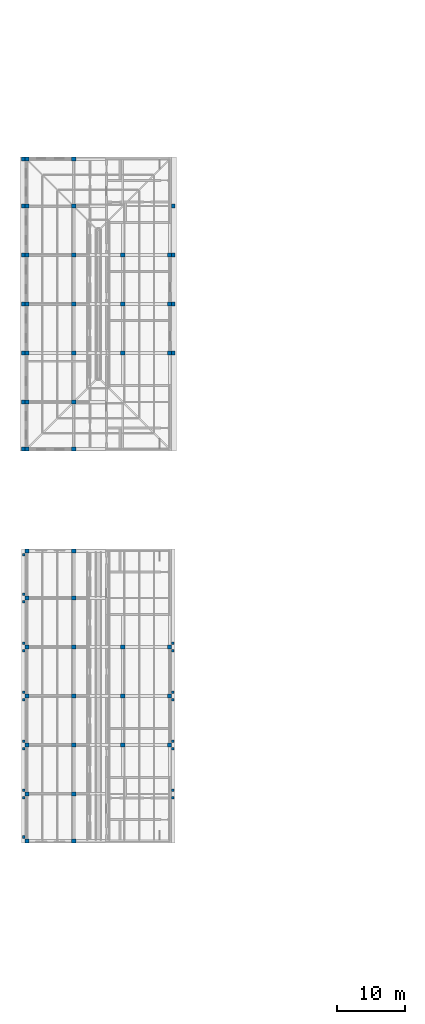
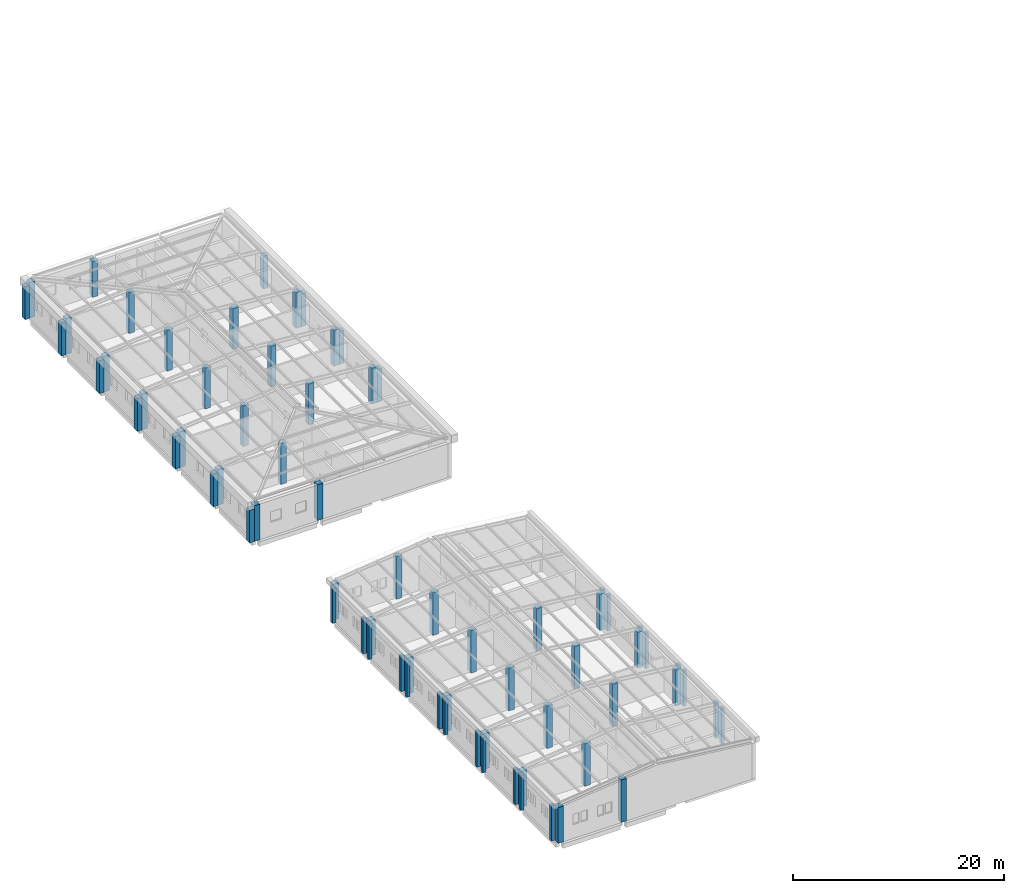
# One storey, part 1 of 48: 71 columns.
"""IFC4 building model written with IfcOpenShell, lengths in metres."""

import ifcopenshell
import ifcopenshell.guid

model = None  # the IFC model being written
_history = None  # IfcOwnerHistory: only IFC2X3 demands one
_inside = {}  # id of a spatial element -> (the spatial element, [elements in it])
_under = {}  # id of a project, library or spatial element -> (it, [spatial elements below it])
_declared = {}  # id of a project -> (the project, [libraries it declares])
_typed = {}  # id of a type object -> (the type object, [elements of that type])
_made_of = {}  # id of a material, layer set ... -> (it, [elements and type objects made of it])


def new_model(schema):
    """Start an empty IFC model of exactly this schema.

    Asked for "IFC4X3", IfcOpenShell would pick the latest addendum, in which some entities
    have other attributes; the version numbers below select the first issue.
    IFC2X3 requires an IfcOwnerHistory on every rooted entity: one is made here for all.
    """
    global model, _history
    if schema == "IFC4X3":
        model = ifcopenshell.file(schema_version=(4, 3, 0, 0))
    else:
        model = ifcopenshell.file(schema=schema)
    _inside.clear()
    _under.clear()
    _declared.clear()
    _typed.clear()
    _made_of.clear()
    _history = None
    if model.schema == "IFC2X3":
        org = make("IfcOrganization", Name="unknown")
        user = make(
            "IfcPersonAndOrganization",
            ThePerson=make("IfcPerson", FamilyName="unknown"),
            TheOrganization=org,
        )
        app = make(
            "IfcApplication",
            ApplicationDeveloper=org,
            Version="unknown",
            ApplicationFullName="unknown",
            ApplicationIdentifier="unknown",
        )
        _history = make(
            "IfcOwnerHistory",
            OwningUser=user,
            OwningApplication=app,
            ChangeAction="ADDED",
            CreationDate=0,
        )
    return model


def make(cls, **values):
    """One entity of the class cls with the attributes given. An attribute that is None is left unset."""
    return model.create_entity(
        cls, **{name: value for name, value in values.items() if value is not None}
    )


def rooted(cls, **values):
    """An entity with a GlobalId (a new one), such as an element, a storey or a relation."""
    return make(cls, GlobalId=ifcopenshell.guid.new(), OwnerHistory=_history, **values)


def si_unit(unit_type, name, prefix=None):
    """IfcSIUnit, for example si_unit("LENGTHUNIT", "METRE", prefix="MILLI")."""
    return make("IfcSIUnit", UnitType=unit_type, Prefix=prefix, Name=name)


def assignment(units):
    """IfcUnitAssignment: the units of a project."""
    return None if units is None else make("IfcUnitAssignment", Units=units)


def point(xyz):
    """IfcCartesianPoint."""
    return None if xyz is None else make("IfcCartesianPoint", Coordinates=xyz)


def direction(xyz):
    """IfcDirection."""
    return None if xyz is None else make("IfcDirection", DirectionRatios=xyz)


def frame(location, z_axis=None, x_axis=None):
    """IfcAxis2Placement3D, a coordinate frame: its origin and axes. An axis left out is left unset."""
    return make(
        "IfcAxis2Placement3D",
        Location=point(location),
        Axis=direction(z_axis),
        RefDirection=direction(x_axis),
    )


def frame_2d(location, x_axis=None):
    """IfcAxis2Placement2D, a coordinate frame in the plane: its origin and x axis."""
    return make(
        "IfcAxis2Placement2D", Location=point(location), RefDirection=direction(x_axis)
    )


def origin():
    """The frame at (0, 0, 0) with its axes left unset."""
    return frame((0.0, 0.0, 0.0))


def origin_2d():
    """The frame at (0, 0) in the plane with its x axis left unset."""
    return frame_2d((0.0, 0.0))


def place(relative_to, where):
    """IfcLocalPlacement: puts the frame where relative to a parent placement (None: the world)."""
    return make(
        "IfcLocalPlacement", PlacementRelTo=relative_to, RelativePlacement=where
    )


def context(
    kind, dimensions, precision=None, world=None, true_north=None, identifier=None
):
    """IfcGeometricRepresentationContext, for example the 3D "Model" context."""
    return make(
        "IfcGeometricRepresentationContext",
        ContextIdentifier=identifier,
        ContextType=kind,
        CoordinateSpaceDimension=dimensions,
        Precision=precision,
        WorldCoordinateSystem=world,
        TrueNorth=true_north,
    )


def subcontext(parent, identifier, kind, view, scale=None):
    """IfcGeometricRepresentationSubContext, for example "Body" below "Model"."""
    return make(
        "IfcGeometricRepresentationSubContext",
        ContextIdentifier=identifier,
        ContextType=kind,
        ParentContext=parent,
        TargetScale=scale,
        TargetView=view,
    )


def project(units=None, contexts=None):
    """IfcProject with its units and contexts."""
    return rooted(
        "IfcProject",
        Name="project",
        RepresentationContexts=contexts,
        UnitsInContext=assignment(units),
    )


def spatial(cls, under=None, at=None, **own):
    """A site, building, storey or space (cls), placed at a placement, below another one or the project."""
    s = rooted(cls, ObjectPlacement=at, **own)
    if under is not None:
        _under.setdefault(under.id(), (under, []))[1].append(s)
    return s


def profile(cls, at=None, kind="AREA", **sizes):
    """A parametric profile (cls). Its sizes go by their IFC names, for example OverallWidth=200.0."""
    return make(cls, ProfileType=kind, Position=at, **sizes)


def rectangle(**sizes):
    """IfcRectangleProfileDef."""
    return profile("IfcRectangleProfileDef", **sizes)


def extrude(swept, where, along, depth):
    """IfcExtrudedAreaSolid: the profile swept, set in the frame where, extruded along a direction by depth."""
    return make(
        "IfcExtrudedAreaSolid",
        SweptArea=swept,
        Position=where,
        ExtrudedDirection=direction(along),
        Depth=depth,
    )


def shape(context_of_items, identifier, shape_type, items):
    """IfcShapeRepresentation: the items that make up one representation, for example the "Body"."""
    return make(
        "IfcShapeRepresentation",
        ContextOfItems=context_of_items,
        RepresentationIdentifier=identifier,
        RepresentationType=shape_type,
        Items=items,
    )


def material(Name=None, Category=None):
    """IfcMaterial."""
    return make("IfcMaterial", Name=Name, Category=Category)


def material_profile(
    of_material, cross_section, Name=None, Category=None, Priority=None
):
    """IfcMaterialProfile: a cross section and its material."""
    return make(
        "IfcMaterialProfile",
        Name=Name,
        Material=of_material,
        Profile=cross_section,
        Priority=Priority,
        Category=Category,
    )


def profile_set(profiles, Name=None, composite=None):
    """IfcMaterialProfileSet."""
    return make(
        "IfcMaterialProfileSet",
        Name=Name,
        MaterialProfiles=profiles,
        CompositeProfile=composite,
    )


def made_of(thing, what):
    """Note that an element or type object is made of a material, layer set ...; save() writes the relation."""
    if what is not None:
        _made_of.setdefault(what.id(), (what, []))[1].append(thing)
    return thing


def type_object(cls, material=None, **own):
    """A type object (cls), such as IfcWallType, which elements share."""
    return made_of(rooted(cls, **own), material)


def element(
    cls,
    number,
    at=None,
    inside=None,
    cuts=None,
    type_object=None,
    material=None,
    context=None,
    identifier="Body",
    shape_type=None,
    held_by="IfcProductDefinitionShape",
    body=None,
    shapes=None,
    **own,
):
    """One element of the class cls, such as IfcWall. Its Tag is "e" and its number.

    at: its placement. inside: the storey or other place that contains it. cuts: it is an
    opening in that element (IfcRelVoidsElement). A single representation is given by context,
    identifier, shape_type and body (its items); several are given by shapes. held_by: the class
    of the entity that holds the representations. save() writes the other relations.
    """
    e = rooted(cls, Tag="e%d" % number, ObjectPlacement=at, **own)
    if body is not None:
        shapes = [shape(context, identifier, shape_type, body)]
    if shapes is not None:
        e.Representation = make(held_by, Representations=shapes)
    if inside is not None:
        _inside.setdefault(inside.id(), (inside, []))[1].append(e)
    if cuts is not None:
        rooted(
            "IfcRelVoidsElement", RelatingBuildingElement=cuts, RelatedOpeningElement=e
        )
    if type_object is not None:
        _typed.setdefault(type_object.id(), (type_object, []))[1].append(e)
    return made_of(e, material)


def aggregate(whole, parts):
    """IfcRelAggregates: a whole, such as a stair, and the parts it consists of."""
    return rooted("IfcRelAggregates", RelatingObject=whole, RelatedObjects=parts)


def save(model, path):
    """Write the relations noted so far, then the file.

    IfcRelAggregates (storeys below a building ...), IfcRelContainedInSpatialStructure (elements
    in a storey), IfcRelDefinesByType, IfcRelAssociatesMaterial and IfcRelDeclares: one each for
    every whole, place, type object, material and project.
    """
    for whole, parts in _under.values():
        aggregate(whole, parts)
    for where, things in _inside.values():
        rooted(
            "IfcRelContainedInSpatialStructure",
            RelatedElements=things,
            RelatingStructure=where,
        )
    for kind, things in _typed.values():
        rooted("IfcRelDefinesByType", RelatedObjects=things, RelatingType=kind)
    for what, things in _made_of.values():
        rooted("IfcRelAssociatesMaterial", RelatedObjects=things, RelatingMaterial=what)
    for by, libraries in _declared.values():
        rooted("IfcRelDeclares", RelatingContext=by, RelatedDefinitions=libraries)
    model.write(path)


model = new_model("IFC4")

# Units and contexts
model_context = context("Model", 3, precision=1e-05, world=origin(), true_north=direction((0.0, 1.0)))
body_context = subcontext(model_context, "Body", "Model", "MODEL_VIEW")
ifc_project = project(units=[si_unit("LENGTHUNIT", "METRE"), si_unit("AREAUNIT", "SQUARE_METRE"), si_unit("VOLUMEUNIT", "CUBIC_METRE"), si_unit("PLANEANGLEUNIT", "RADIAN"), si_unit("MASSUNIT", "GRAM", prefix="KILO")], contexts=[model_context])

# Site, building, storey
site_placement = place(None, origin())
site = spatial("IfcSite", under=ifc_project, at=site_placement, CompositionType="ELEMENT")
building_placement = place(site_placement, origin())
building = spatial("IfcBuilding", under=site, at=building_placement, Name="Alderwick Market Hall", CompositionType="ELEMENT")
storey_placement = place(building_placement, frame((0.0, 0.0, 14.39990234375)))
storey = spatial("IfcBuildingStorey", under=building, at=storey_placement, Name="L02", CompositionType="ELEMENT", Elevation=14.39990234375)

# Columns
ifc_material_1 = material(Name="Concrete 5000 psi (f'c 35 MPa)", Category="concrete")
ifc_material_profile_1 = material_profile(ifc_material_1, rectangle(XDim=0.35009765625, YDim=0.39990234375, at=origin_2d()), Name="B Paired Pilaster 350x400")
ifc_profile_set_1 = profile_set([ifc_material_profile_1], Name="Concrete 5000 psi (f'c 35 MPa)")
column_type_1 = type_object("IfcColumnType", Name="B Paired Pilaster 350x400", PredefinedType="COLUMN", material=ifc_profile_set_1)
for number, where, z_axis, x_axis, name in (
    (1, (21.425048828125, 29.64990234375, 0.0), (0.0, 0.0, 1.0), (1.0, 0.0, 0.0), "Pilaster W01"),
    (2, (21.425048828125, 35.449951171875, 0.0), (0.0, 0.0, 1.0), (1.0, 0.0, 0.0), "Pilaster W02"),
    (3, (21.425048828125, 36.550048828125, 0.0), (0.0, 0.0, 1.0), (1.0, 0.0, 0.0), "Pilaster W03"),
    (4, (21.425048828125, 42.64990234375, 0.0), (0.0, 0.0, 1.0), (1.0, 0.0, 0.0), "Pilaster W04"),
    (5, (21.425048828125, 43.75, 0.0), (0.0, 0.0, 1.0), (1.0, 0.0, 0.0), "Pilaster W05"),
    (6, (21.425048828125, 49.85009765625, 0.0), (0.0, 0.0, 1.0), (1.0, 0.0, 0.0), "Pilaster W06"),
    (7, (21.425048828125, 50.949951171875, 0.0), (0.0, 0.0, 1.0), (1.0, 0.0, 0.0), "Pilaster W07"),
    (8, (21.425048828125, 57.050048828125, 0.0), (0.0, 0.0, 1.0), (1.0, 0.0, 0.0), "Pilaster W08"),
    (9, (21.425048828125, 58.14990234375, 0.0), (0.0, 0.0, 1.0), (1.0, 0.0, 0.0), "Pilaster W09"),
    (10, (21.425048828125, 64.25, 0.0), (0.0, 0.0, 1.0), (1.0, 0.0, 0.0), "Pilaster W10"),
    (11, (21.425048828125, 65.35009765625, 0.0), (0.0, 0.0, 1.0), (1.0, 0.0, 0.0), "Pilaster W11"),
    (12, (21.425048828125, 71.14990234375, 0.0), (0.0, 0.0, 1.0), (1.0, 0.0, 0.0), "Pilaster W12"),
    (13, (43.375, 35.449951171875, 0.0), (0.0, 0.0, 1.0), (1.0, 0.0, 0.0), "Pilaster E01"),
    (14, (43.375, 36.550048828125, 0.0), (0.0, 0.0, 1.0), (1.0, 0.0, 0.0), "Pilaster E02"),
    (15, (43.375, 42.64990234375, 0.0), (0.0, 0.0, 1.0), (1.0, 0.0, 0.0), "Pilaster E03"),
    (16, (43.375, 43.75, 0.0), (0.0, 0.0, 1.0), (1.0, 0.0, 0.0), "Pilaster E04"),
    (17, (43.375, 49.85009765625, 0.0), (0.0, 0.0, 1.0), (1.0, 0.0, 0.0), "Pilaster E05"),
    (18, (43.375, 50.949951171875, 0.0), (0.0, 0.0, 1.0), (1.0, 0.0, 0.0), "Pilaster E06"),
    (19, (43.375, 57.050048828125, 0.0), (0.0, 0.0, 1.0), (1.0, 0.0, 0.0), "Pilaster E07"),
    (20, (43.375, 58.14990234375, 0.0), (0.0, 0.0, 1.0), (1.0, 0.0, 0.0), "Pilaster E08"),
):
    element("IfcColumn", number, at=place(storey_placement, frame(where, z_axis=z_axis, x_axis=x_axis)), inside=storey, type_object=column_type_1, Name=name, PredefinedType="COLUMN", context=body_context, shape_type="SweptSolid", body=[
        extrude(rectangle(XDim=0.35009765625, YDim=0.39990234375, at=origin_2d()), origin(), (0.0, 0.0, 1.0), 4.10009765625),
    ])
ifc_material_profile_2 = material_profile(ifc_material_1, rectangle(XDim=0.5, YDim=0.60009765625, at=origin_2d()), Name="B Pilaster 500x600")
ifc_profile_set_2 = profile_set([ifc_material_profile_2], Name="Concrete 5000 psi (f'c 35 MPa)")
column_type_2 = type_object("IfcColumnType", Name="B Pilaster 500x600", PredefinedType="COLUMN", material=ifc_profile_set_2)
for number, where, z_axis, x_axis, name in (
    (21, (21.35009765625, 86.699951171875, 0.0), (0.0, 0.0, 1.0), (1.0, 0.0, 0.0), "Pilaster W01"),
    (22, (21.35009765625, 93.60009765625, 0.0), (0.0, 0.0, 1.0), (1.0, 0.0, 0.0), "Pilaster W02"),
    (23, (21.35009765625, 100.800048828125, 0.0), (0.0, 0.0, 1.0), (1.0, 0.0, 0.0), "Pilaster W03"),
    (24, (21.35009765625, 108.0, 0.0), (0.0, 0.0, 1.0), (1.0, 0.0, 0.0), "Pilaster W04"),
    (25, (21.35009765625, 115.199951171875, 0.0), (0.0, 0.0, 1.0), (1.0, 0.0, 0.0), "Pilaster W05"),
    (26, (21.35009765625, 122.39990234375, 0.0), (0.0, 0.0, 1.0), (1.0, 0.0, 0.0), "Pilaster W06"),
    (27, (21.35009765625, 129.300048828125, 0.0), (0.0, 0.0, 1.0), (1.0, 0.0, 0.0), "Pilaster W07"),
    (28, (43.449951171875, 100.800048828125, 0.0), (0.0, 0.0, 1.0), (1.0, 0.0, 0.0), "Pilaster E01"),
    (29, (43.449951171875, 108.0, 0.0), (0.0, 0.0, 1.0), (1.0, 0.0, 0.0), "Pilaster E02"),
    (30, (43.449951171875, 115.199951171875, 0.0), (0.0, 0.0, 1.0), (1.0, 0.0, 0.0), "Pilaster E03"),
    (31, (43.449951171875, 122.39990234375, 0.0), (0.0, 0.0, 1.0), (1.0, 0.0, 0.0), "Pilaster E04"),
):
    element("IfcColumn", number, at=place(storey_placement, frame(where, z_axis=z_axis, x_axis=x_axis)), inside=storey, type_object=column_type_2, Name=name, PredefinedType="COLUMN", context=body_context, shape_type="SweptSolid", body=[
        extrude(rectangle(XDim=0.5, YDim=0.60009765625, at=origin_2d()), origin(), (0.0, 0.0, 1.0), 3.800048828125),
    ])
ifc_material_2 = material(Name="Precast concrete 6000 psi (f'c 42 MPa)", Category="concrete")
ifc_material_profile_3 = material_profile(ifc_material_2, rectangle(XDim=0.60009765625, YDim=0.60009765625, at=origin_2d()), Name="B Precast Pier 600x600")
ifc_profile_set_3 = profile_set([ifc_material_profile_3], Name="Precast concrete 6000 psi (f'c 42 MPa)")
column_type_3 = type_object("IfcColumnType", Name="B Precast Pier 600x600", PredefinedType="COLUMN", material=ifc_profile_set_3)
for number, where, z_axis, x_axis, name in (
    (32, (21.89990234375, 129.300048828125, 0.0), (0.0, 0.0, 1.0), (1.0, 0.0, 0.0), "B.N.col.L02.003-003"),
    (33, (21.89990234375, 122.39990234375, 0.0), (0.0, 0.0, 1.0), (1.0, 0.0, 0.0), "B.N.col.L02.003-072"),
    (34, (21.89990234375, 115.199951171875, 0.0), (0.0, 0.0, 1.0), (1.0, 0.0, 0.0), "B.N.col.L02.003-144"),
    (35, (21.89990234375, 108.0, 0.0), (0.0, 0.0, 1.0), (1.0, 0.0, 0.0), "B.N.col.L02.003-216"),
    (36, (21.89990234375, 100.800048828125, 0.0), (0.0, 0.0, 1.0), (1.0, 0.0, 0.0), "B.N.col.L02.003-288"),
    (37, (21.89990234375, 93.60009765625, 0.0), (0.0, 0.0, 1.0), (1.0, 0.0, 0.0), "B.N.col.L02.003-360"),
    (38, (21.89990234375, 86.699951171875, 0.0), (0.0, 0.0, 1.0), (1.0, 0.0, 0.0), "B.N.col.L02.003-429"),
    (39, (28.800048828125, 129.300048828125, 0.0), (0.0, 0.0, 1.0), (1.0, 0.0, 0.0), "B.N.col.L02.072-003"),
    (40, (28.800048828125, 86.699951171875, 0.0), (0.0, 0.0, 1.0), (1.0, 0.0, 0.0), "B.N.col.L02.072-429"),
    (41, (42.89990234375, 115.199951171875, 0.0), (0.0, 0.0, 1.0), (1.0, 0.0, 0.0), "B.N.col.L02.213-144"),
    (42, (42.89990234375, 108.0, 0.0), (0.0, 0.0, 1.0), (1.0, 0.0, 0.0), "B.N.col.L02.213-216"),
    (43, (42.89990234375, 100.800048828125, 0.0), (0.0, 0.0, 1.0), (1.0, 0.0, 0.0), "B.N.col.L02.213-288"),
):
    element("IfcColumn", number, at=place(storey_placement, frame(where, z_axis=z_axis, x_axis=x_axis)), inside=storey, type_object=column_type_3, Name=name, PredefinedType="COLUMN", context=body_context, shape_type="SweptSolid", body=[
        extrude(rectangle(XDim=0.60009765625, YDim=0.60009765625, at=origin_2d()), origin(), (0.0, 0.0, 1.0), 4.1376953125),
    ])
for number, where, z_axis, x_axis, name in (
    (44, (21.89990234375, 29.10009765625, 0.0), (0.0, 0.0, 1.0), (1.0, 0.0, 0.0), "B.S.col.L02.003-003"),
    (45, (21.89990234375, 36.0, 0.0), (0.0, 0.0, 1.0), (1.0, 0.0, 0.0), "B.S.col.L02.003-072"),
    (46, (21.89990234375, 43.199951171875, 0.0), (0.0, 0.0, 1.0), (1.0, 0.0, 0.0), "B.S.col.L02.003-144"),
    (47, (21.89990234375, 50.39990234375, 0.0), (0.0, 0.0, 1.0), (1.0, 0.0, 0.0), "B.S.col.L02.003-216"),
    (48, (21.89990234375, 57.60009765625, 0.0), (0.0, 0.0, 1.0), (1.0, 0.0, 0.0), "B.S.col.L02.003-288"),
    (49, (21.89990234375, 64.800048828125, 0.0), (0.0, 0.0, 1.0), (1.0, 0.0, 0.0), "B.S.col.L02.003-360"),
    (50, (21.89990234375, 71.699951171875, 0.0), (0.0, 0.0, 1.0), (1.0, 0.0, 0.0), "B.S.col.L02.003-429"),
):
    element("IfcColumn", number, at=place(storey_placement, frame(where, z_axis=z_axis, x_axis=x_axis)), inside=storey, type_object=column_type_3, Name=name, PredefinedType="COLUMN", context=body_context, shape_type="SweptSolid", body=[
        extrude(rectangle(XDim=0.60009765625, YDim=0.60009765625, at=origin_2d()), origin(), (0.0, 0.0, 1.0), 4.144287109375),
    ])
for number, where, z_axis, x_axis, name in (
    (51, (28.800048828125, 29.10009765625, 0.0), (0.0, 0.0, 1.0), (1.0, 0.0, 0.0), "B.S.col.L02.072-003"),
    (52, (28.800048828125, 71.699951171875, 0.0), (0.0, 0.0, 1.0), (1.0, 0.0, 0.0), "B.S.col.L02.072-429"),
):
    element("IfcColumn", number, at=place(storey_placement, frame(where, z_axis=z_axis, x_axis=x_axis)), inside=storey, type_object=column_type_3, Name=name, PredefinedType="COLUMN", context=body_context, shape_type="SweptSolid", body=[
        extrude(rectangle(XDim=0.60009765625, YDim=0.60009765625, at=origin_2d()), origin(), (0.0, 0.0, 1.0), 4.910888671875),
    ])
for number, where, z_axis, x_axis, name in (
    (53, (42.89990234375, 43.199951171875, 0.0), (0.0, 0.0, 1.0), (1.0, 0.0, 0.0), "B.S.col.L02.213-144"),
    (54, (42.89990234375, 50.39990234375, 0.0), (0.0, 0.0, 1.0), (1.0, 0.0, 0.0), "B.S.col.L02.213-216"),
    (55, (42.89990234375, 57.60009765625, 0.0), (0.0, 0.0, 1.0), (1.0, 0.0, 0.0), "B.S.col.L02.213-288"),
):
    element("IfcColumn", number, at=place(storey_placement, frame(where, z_axis=z_axis, x_axis=x_axis)), inside=storey, type_object=column_type_3, Name=name, PredefinedType="COLUMN", context=body_context, shape_type="SweptSolid", body=[
        extrude(rectangle(XDim=0.60009765625, YDim=0.60009765625, at=origin_2d()), origin(), (0.0, 0.0, 1.0), 4.144287109375),
    ])
ifc_material_profile_4 = material_profile(ifc_material_1, rectangle(XDim=0.60009765625, YDim=0.60009765625, at=origin_2d()), Name="B RC Column 600x600")
ifc_profile_set_4 = profile_set([ifc_material_profile_4], Name="Concrete 5000 psi (f'c 35 MPa)")
column_type_4 = type_object("IfcColumnType", Name="B RC Column 600x600", PredefinedType="COLUMN", material=ifc_profile_set_4)
for number, where, z_axis, x_axis, name in (
    (56, (28.800048828125, 122.39990234375, 0.0), (0.0, 0.0, 1.0), (1.0, 0.0, 0.0), "B.N.col.L02.072-072"),
    (57, (28.800048828125, 115.199951171875, 0.0), (0.0, 0.0, 1.0), (1.0, 0.0, 0.0), "B.N.col.L02.072-144"),
    (58, (28.800048828125, 108.0, 0.0), (0.0, 0.0, 1.0), (1.0, 0.0, 0.0), "B.N.col.L02.072-216"),
    (59, (28.800048828125, 100.800048828125, 0.0), (0.0, 0.0, 1.0), (1.0, 0.0, 0.0), "B.N.col.L02.072-288"),
    (60, (28.800048828125, 93.60009765625, 0.0), (0.0, 0.0, 1.0), (1.0, 0.0, 0.0), "B.N.col.L02.072-360"),
    (61, (36.0, 115.199951171875, 0.0), (0.0, 0.0, 1.0), (1.0, 0.0, 0.0), "B.N.col.L02.144-144"),
    (62, (36.0, 108.0, 0.0), (0.0, 0.0, 1.0), (1.0, 0.0, 0.0), "B.N.col.L02.144-216"),
    (63, (36.0, 100.800048828125, 0.0), (0.0, 0.0, 1.0), (1.0, 0.0, 0.0), "B.N.col.L02.144-288"),
):
    element("IfcColumn", number, at=place(storey_placement, frame(where, z_axis=z_axis, x_axis=x_axis)), inside=storey, type_object=column_type_4, Name=name, PredefinedType="COLUMN", context=body_context, shape_type="SweptSolid", body=[
        extrude(rectangle(XDim=0.60009765625, YDim=0.60009765625, at=origin_2d()), origin(), (0.0, 0.0, 1.0), 4.712646484375),
    ])
for number, where, z_axis, x_axis, name in (
    (64, (28.800048828125, 36.0, 0.0), (0.0, 0.0, 1.0), (1.0, 0.0, 0.0), "B.S.col.L02.072-072"),
    (65, (28.800048828125, 43.199951171875, 0.0), (0.0, 0.0, 1.0), (1.0, 0.0, 0.0), "B.S.col.L02.072-144"),
    (66, (28.800048828125, 50.39990234375, 0.0), (0.0, 0.0, 1.0), (1.0, 0.0, 0.0), "B.S.col.L02.072-216"),
    (67, (28.800048828125, 57.60009765625, 0.0), (0.0, 0.0, 1.0), (1.0, 0.0, 0.0), "B.S.col.L02.072-288"),
    (68, (28.800048828125, 64.800048828125, 0.0), (0.0, 0.0, 1.0), (1.0, 0.0, 0.0), "B.S.col.L02.072-360"),
    (69, (36.0, 43.199951171875, 0.0), (0.0, 0.0, 1.0), (1.0, 0.0, 0.0), "B.S.col.L02.144-144"),
    (70, (36.0, 50.39990234375, 0.0), (0.0, 0.0, 1.0), (1.0, 0.0, 0.0), "B.S.col.L02.144-216"),
    (71, (36.0, 57.60009765625, 0.0), (0.0, 0.0, 1.0), (1.0, 0.0, 0.0), "B.S.col.L02.144-288"),
):
    element("IfcColumn", number, at=place(storey_placement, frame(where, z_axis=z_axis, x_axis=x_axis)), inside=storey, type_object=column_type_4, Name=name, PredefinedType="COLUMN", context=body_context, shape_type="SweptSolid", body=[
        extrude(rectangle(XDim=0.60009765625, YDim=0.60009765625, at=origin_2d()), origin(), (0.0, 0.0, 1.0), 4.910888671875),
    ])

save(model, "model.ifc")
